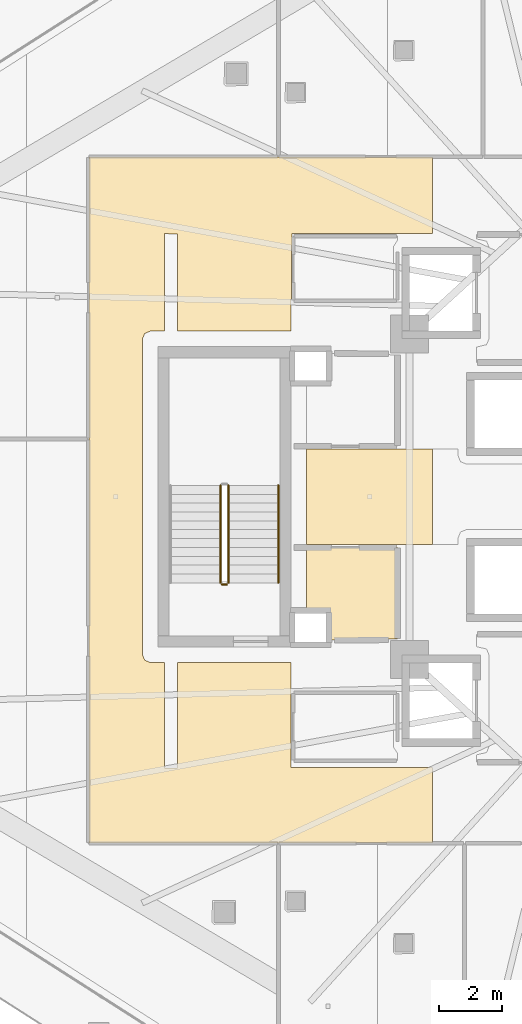
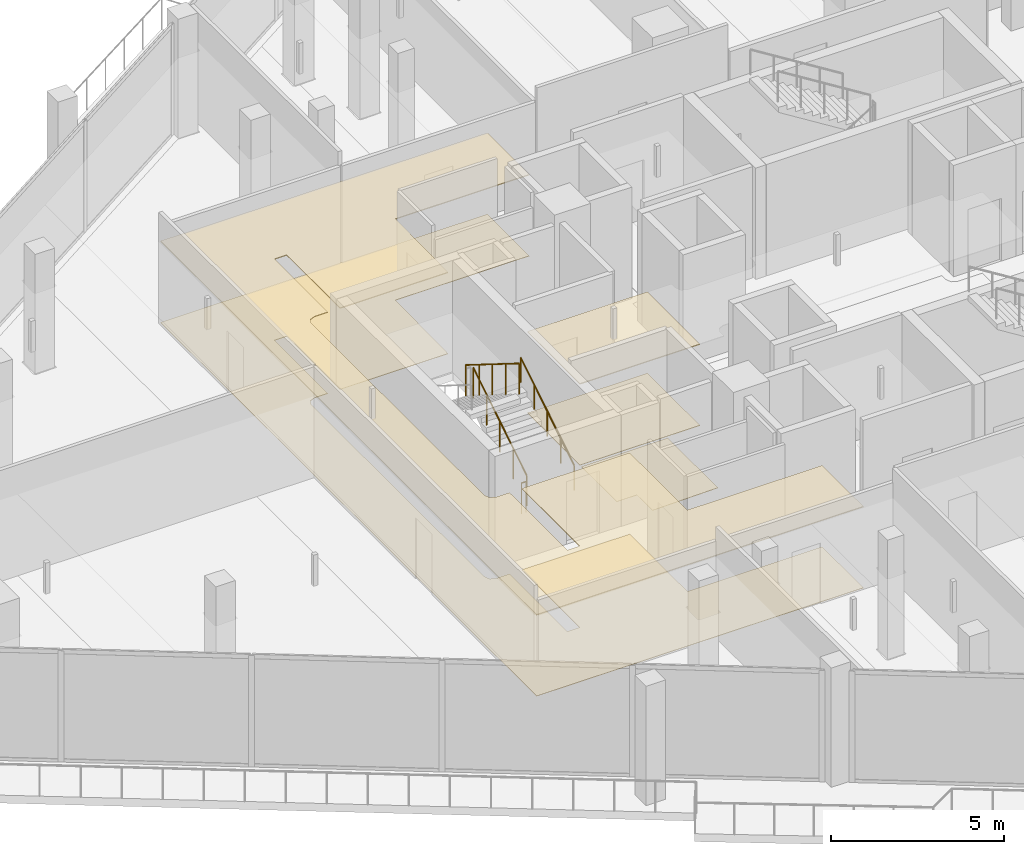
# One storey, part 38 of 45: 5 coverings, 4 railings.
"""IFC4 building model written with IfcOpenShell, lengths in metres."""

import ifcopenshell
import ifcopenshell.guid

model = None  # the IFC model being written
_history = None  # IfcOwnerHistory: only IFC2X3 demands one
_inside = {}  # id of a spatial element -> (the spatial element, [elements in it])
_under = {}  # id of a project, library or spatial element -> (it, [spatial elements below it])
_declared = {}  # id of a project -> (the project, [libraries it declares])
_typed = {}  # id of a type object -> (the type object, [elements of that type])
_made_of = {}  # id of a material, layer set ... -> (it, [elements and type objects made of it])


def new_model(schema):
    """Start an empty IFC model of exactly this schema.

    Asked for "IFC4X3", IfcOpenShell would pick the latest addendum, in which some entities
    have other attributes; the version numbers below select the first issue.
    IFC2X3 requires an IfcOwnerHistory on every rooted entity: one is made here for all.
    """
    global model, _history
    if schema == "IFC4X3":
        model = ifcopenshell.file(schema_version=(4, 3, 0, 0))
    else:
        model = ifcopenshell.file(schema=schema)
    _inside.clear()
    _under.clear()
    _declared.clear()
    _typed.clear()
    _made_of.clear()
    _history = None
    if model.schema == "IFC2X3":
        org = make("IfcOrganization", Name="unknown")
        user = make(
            "IfcPersonAndOrganization",
            ThePerson=make("IfcPerson", FamilyName="unknown"),
            TheOrganization=org,
        )
        app = make(
            "IfcApplication",
            ApplicationDeveloper=org,
            Version="unknown",
            ApplicationFullName="unknown",
            ApplicationIdentifier="unknown",
        )
        _history = make(
            "IfcOwnerHistory",
            OwningUser=user,
            OwningApplication=app,
            ChangeAction="ADDED",
            CreationDate=0,
        )
    return model


def make(cls, **values):
    """One entity of the class cls with the attributes given. An attribute that is None is left unset."""
    return model.create_entity(
        cls, **{name: value for name, value in values.items() if value is not None}
    )


def rooted(cls, **values):
    """An entity with a GlobalId (a new one), such as an element, a storey or a relation."""
    return make(cls, GlobalId=ifcopenshell.guid.new(), OwnerHistory=_history, **values)


def si_unit(unit_type, name, prefix=None):
    """IfcSIUnit, for example si_unit("LENGTHUNIT", "METRE", prefix="MILLI")."""
    return make("IfcSIUnit", UnitType=unit_type, Prefix=prefix, Name=name)


def assignment(units):
    """IfcUnitAssignment: the units of a project."""
    return None if units is None else make("IfcUnitAssignment", Units=units)


def point(xyz):
    """IfcCartesianPoint."""
    return None if xyz is None else make("IfcCartesianPoint", Coordinates=xyz)


def direction(xyz):
    """IfcDirection."""
    return None if xyz is None else make("IfcDirection", DirectionRatios=xyz)


def frame(location, z_axis=None, x_axis=None):
    """IfcAxis2Placement3D, a coordinate frame: its origin and axes. An axis left out is left unset."""
    return make(
        "IfcAxis2Placement3D",
        Location=point(location),
        Axis=direction(z_axis),
        RefDirection=direction(x_axis),
    )


def frame_2d(location, x_axis=None):
    """IfcAxis2Placement2D, a coordinate frame in the plane: its origin and x axis."""
    return make(
        "IfcAxis2Placement2D", Location=point(location), RefDirection=direction(x_axis)
    )


def origin():
    """The frame at (0, 0, 0) with its axes left unset."""
    return frame((0.0, 0.0, 0.0))


def origin_2d():
    """The frame at (0, 0) in the plane with its x axis left unset."""
    return frame_2d((0.0, 0.0))


def place(relative_to, where):
    """IfcLocalPlacement: puts the frame where relative to a parent placement (None: the world)."""
    return make(
        "IfcLocalPlacement", PlacementRelTo=relative_to, RelativePlacement=where
    )


def context(
    kind, dimensions, precision=None, world=None, true_north=None, identifier=None
):
    """IfcGeometricRepresentationContext, for example the 3D "Model" context."""
    return make(
        "IfcGeometricRepresentationContext",
        ContextIdentifier=identifier,
        ContextType=kind,
        CoordinateSpaceDimension=dimensions,
        Precision=precision,
        WorldCoordinateSystem=world,
        TrueNorth=true_north,
    )


def subcontext(parent, identifier, kind, view, scale=None):
    """IfcGeometricRepresentationSubContext, for example "Body" below "Model"."""
    return make(
        "IfcGeometricRepresentationSubContext",
        ContextIdentifier=identifier,
        ContextType=kind,
        ParentContext=parent,
        TargetScale=scale,
        TargetView=view,
    )


def project(units=None, contexts=None):
    """IfcProject with its units and contexts."""
    return rooted(
        "IfcProject",
        Name="project",
        RepresentationContexts=contexts,
        UnitsInContext=assignment(units),
    )


def spatial(cls, under=None, at=None, **own):
    """A site, building, storey or space (cls), placed at a placement, below another one or the project."""
    s = rooted(cls, ObjectPlacement=at, **own)
    if under is not None:
        _under.setdefault(under.id(), (under, []))[1].append(s)
    return s


def polyline(points):
    """IfcPolyline through the points."""
    return make("IfcPolyline", Points=[point(p) for p in points])


def profile(cls, at=None, kind="AREA", **sizes):
    """A parametric profile (cls). Its sizes go by their IFC names, for example OverallWidth=200.0."""
    return make(cls, ProfileType=kind, Position=at, **sizes)


def circle(**sizes):
    """IfcCircleProfileDef."""
    return profile("IfcCircleProfileDef", **sizes)


def outline(outer, holes=None, kind="AREA"):
    """IfcArbitraryClosedProfileDef: a profile drawn as a closed curve; with holes, ...WithVoids."""
    if holes is None:
        return make("IfcArbitraryClosedProfileDef", ProfileType=kind, OuterCurve=outer)
    return make(
        "IfcArbitraryProfileDefWithVoids",
        ProfileType=kind,
        OuterCurve=outer,
        InnerCurves=holes,
    )


def extrude(swept, where, along, depth):
    """IfcExtrudedAreaSolid: the profile swept, set in the frame where, extruded along a direction by depth."""
    return make(
        "IfcExtrudedAreaSolid",
        SweptArea=swept,
        Position=where,
        ExtrudedDirection=direction(along),
        Depth=depth,
    )


def shape(context_of_items, identifier, shape_type, items):
    """IfcShapeRepresentation: the items that make up one representation, for example the "Body"."""
    return make(
        "IfcShapeRepresentation",
        ContextOfItems=context_of_items,
        RepresentationIdentifier=identifier,
        RepresentationType=shape_type,
        Items=items,
    )


def material(Name=None, Category=None):
    """IfcMaterial."""
    return make("IfcMaterial", Name=Name, Category=Category)


def layer(
    of_material, thickness, ventilated=None, Name=None, Category=None, Priority=None
):
    """IfcMaterialLayer: one layer of a wall or slab, of a material (None: an air gap)."""
    return make(
        "IfcMaterialLayer",
        Material=of_material,
        LayerThickness=thickness,
        IsVentilated=ventilated,
        Name=Name,
        Category=Category,
        Priority=Priority,
    )


def layer_set(layers, Name=None):
    """IfcMaterialLayerSet."""
    return make("IfcMaterialLayerSet", MaterialLayers=layers, LayerSetName=Name)


def made_of(thing, what):
    """Note that an element or type object is made of a material, layer set ...; save() writes the relation."""
    if what is not None:
        _made_of.setdefault(what.id(), (what, []))[1].append(thing)
    return thing


def type_object(cls, material=None, **own):
    """A type object (cls), such as IfcWallType, which elements share."""
    return made_of(rooted(cls, **own), material)


def element(
    cls,
    number,
    at=None,
    inside=None,
    cuts=None,
    type_object=None,
    material=None,
    context=None,
    identifier="Body",
    shape_type=None,
    held_by="IfcProductDefinitionShape",
    body=None,
    shapes=None,
    **own,
):
    """One element of the class cls, such as IfcWall. Its Tag is "e" and its number.

    at: its placement. inside: the storey or other place that contains it. cuts: it is an
    opening in that element (IfcRelVoidsElement). A single representation is given by context,
    identifier, shape_type and body (its items); several are given by shapes. held_by: the class
    of the entity that holds the representations. save() writes the other relations.
    """
    e = rooted(cls, Tag="e%d" % number, ObjectPlacement=at, **own)
    if body is not None:
        shapes = [shape(context, identifier, shape_type, body)]
    if shapes is not None:
        e.Representation = make(held_by, Representations=shapes)
    if inside is not None:
        _inside.setdefault(inside.id(), (inside, []))[1].append(e)
    if cuts is not None:
        rooted(
            "IfcRelVoidsElement", RelatingBuildingElement=cuts, RelatedOpeningElement=e
        )
    if type_object is not None:
        _typed.setdefault(type_object.id(), (type_object, []))[1].append(e)
    return made_of(e, material)


def aggregate(whole, parts):
    """IfcRelAggregates: a whole, such as a stair, and the parts it consists of."""
    return rooted("IfcRelAggregates", RelatingObject=whole, RelatedObjects=parts)


def save(model, path):
    """Write the relations noted so far, then the file.

    IfcRelAggregates (storeys below a building ...), IfcRelContainedInSpatialStructure (elements
    in a storey), IfcRelDefinesByType, IfcRelAssociatesMaterial and IfcRelDeclares: one each for
    every whole, place, type object, material and project.
    """
    for whole, parts in _under.values():
        aggregate(whole, parts)
    for where, things in _inside.values():
        rooted(
            "IfcRelContainedInSpatialStructure",
            RelatedElements=things,
            RelatingStructure=where,
        )
    for kind, things in _typed.values():
        rooted("IfcRelDefinesByType", RelatedObjects=things, RelatingType=kind)
    for what, things in _made_of.values():
        rooted("IfcRelAssociatesMaterial", RelatedObjects=things, RelatingMaterial=what)
    for by, libraries in _declared.values():
        rooted("IfcRelDeclares", RelatingContext=by, RelatedDefinitions=libraries)
    model.write(path)


model = new_model("IFC4")

# Units and contexts
model_context = context("Model", 3, precision=1e-05, world=origin(), true_north=direction((0.0, 1.0)))
body_context = subcontext(model_context, "Body", "Model", "MODEL_VIEW")
ifc_project = project(units=[si_unit("LENGTHUNIT", "METRE"), si_unit("AREAUNIT", "SQUARE_METRE"), si_unit("VOLUMEUNIT", "CUBIC_METRE"), si_unit("PLANEANGLEUNIT", "RADIAN"), si_unit("MASSUNIT", "GRAM", prefix="KILO")], contexts=[model_context])

# Site, building, storey
site_placement = place(None, origin())
site = spatial("IfcSite", under=ifc_project, at=site_placement, CompositionType="ELEMENT")
building_placement = place(site_placement, origin())
building = spatial("IfcBuilding", under=site, at=building_placement, Name="Qorvath Tower", CompositionType="ELEMENT")
storey_placement = place(building_placement, frame((0.0, 0.0, 91.199951171875)))
storey = spatial("IfcBuildingStorey", under=building, at=storey_placement, Name="L20", CompositionType="ELEMENT", Elevation=91.199951171875)

# Coverings
ifc_material_1 = material(Name="Acoustic mineral fibre ceiling tile", Category="gypsum")
ifc_layer_1 = layer(ifc_material_1, 0.030029296875)
ifc_layer_set_1 = layer_set([ifc_layer_1], Name="COV-CEIL")
covering_type_1 = type_object("IfcCoveringType", Name="COV-CEIL", PredefinedType="CEILING", material=ifc_layer_set_1)
covering_1_placement = place(storey_placement, frame((0.0, 0.0, 2.85009765625)))
element("IfcCovering", 1, at=covering_1_placement, inside=storey, type_object=covering_type_1, Name="L20 Suspended Acoustic Ceiling 007", PredefinedType="CEILING", context=body_context, shape_type="SweptSolid", body=[
    extrude(outline(polyline([(-29.764892578125, -10.945068359375), (-29.764892578125, -8.564453125), (-34.25, -8.56494140625), (-34.2548828125, -5.239990234375), (-37.844970703125, -5.239990234375), (-37.844970703125, -8.580078125), (-38.2548828125, -8.580078125), (-38.2548828125, -5.239990234375), (-38.699951171875, -5.239990234375), (-38.876708984375, -5.166748046875), (-38.949951171875, -4.989990234375), (-38.949951171875, 4.989990234375), (-38.876708984375, 5.166748046875), (-38.699951171875, 5.239990234375), (-38.2548828125, 5.239990234375), (-38.25341796875, 8.323486328125), (-37.844970703125, 8.320068359375), (-37.844970703125, 5.239990234375), (-34.2509765625, 5.239990234375), (-34.219970703125, 8.324951171875), (-29.764892578125, 8.324951171875), (-29.764892578125, 10.74560546875), (-40.64501953125, 10.7451171875), (-40.64501953125, -10.945068359375), (-29.764892578125, -10.945068359375)])), origin(), (0.0, 0.0, 1.0), 0.030029296875),
])
covering_2_placement = place(storey_placement, frame((0.0, 0.0, 2.85009765625)))
element("IfcCovering", 2, at=covering_2_placement, inside=storey, type_object=covering_type_1, Name="L20 Suspended Acoustic Ceiling 008", PredefinedType="CEILING", context=body_context, shape_type="SweptSolid", body=[
    extrude(outline(polyline([(-29.764892578125, -1.514892578125), (-29.764892578125, 1.514892578125), (-33.760009765625, 1.514892578125), (-33.760009765625, -1.514892578125), (-29.764892578125, -1.514892578125)])), origin(), (0.0, 0.0, 1.0), 0.030029296875),
])
ifc_material_2 = material(Name="Low-VOC modular carpet tile", Category="textile")
ifc_layer_2 = layer(ifc_material_2, 0.014892578125)
ifc_layer_set_2 = layer_set([ifc_layer_2], Name="COV-FLOOR-CPT")
covering_type_2 = type_object("IfcCoveringType", Name="COV-FLOOR-CPT", PredefinedType="FLOORING", material=ifc_layer_set_2)
covering_3_placement = place(storey_placement, origin())
element("IfcCovering", 3, at=covering_3_placement, inside=storey, type_object=covering_type_2, Name="L20 Floor Finish 006", PredefinedType="FLOORING", context=body_context, shape_type="SweptSolid", body=[
    extrude(outline(polyline([(-30.885009765625, -1.60498046875), (-33.760009765625, -1.60498046875), (-33.760009765625, -3.636962890625), (-33.08837890625, -3.638427734375), (-33.0869140625, -4.534912109375), (-30.885009765625, -4.489990234375), (-30.885009765625, -1.60498046875)])), origin(), (0.0, 0.0, 1.0), 0.01513671875),
])
ifc_material_3 = material(Name="Polished epoxy terrazzo flooring", Category="concrete")
ifc_layer_3 = layer(ifc_material_3, 0.02001953125)
ifc_layer_set_3 = layer_set([ifc_layer_3], Name="COV-FLOOR-TRZ")
covering_type_3 = type_object("IfcCoveringType", Name="COV-FLOOR-TRZ", PredefinedType="FLOORING", material=ifc_layer_set_3)
covering_4_placement = place(storey_placement, origin())
element("IfcCovering", 4, at=covering_4_placement, inside=storey, type_object=covering_type_3, Name="L20 Floor Finish 007", PredefinedType="FLOORING", context=body_context, shape_type="SweptSolid", body=[
    extrude(outline(polyline([(-29.764892578125, -10.945068359375), (-29.764892578125, -8.564453125), (-34.25, -8.56494140625), (-34.2548828125, -5.239990234375), (-37.844970703125, -5.239990234375), (-37.844970703125, -8.580078125), (-38.2548828125, -8.580078125), (-38.2548828125, -5.239990234375), (-38.699951171875, -5.239990234375), (-38.876708984375, -5.166748046875), (-38.949951171875, -4.989990234375), (-38.949951171875, 4.989990234375), (-38.876708984375, 5.166748046875), (-38.699951171875, 5.239990234375), (-38.2548828125, 5.239990234375), (-38.25341796875, 8.323486328125), (-37.844970703125, 8.320068359375), (-37.844970703125, 5.239990234375), (-34.2509765625, 5.239990234375), (-34.219970703125, 8.324951171875), (-29.764892578125, 8.324951171875), (-29.764892578125, 10.74560546875), (-40.64501953125, 10.7451171875), (-40.64501953125, -10.945068359375), (-29.764892578125, -10.945068359375)])), origin(), (0.0, 0.0, 1.0), 0.01513671875),
])
covering_5_placement = place(storey_placement, origin())
element("IfcCovering", 5, at=covering_5_placement, inside=storey, type_object=covering_type_3, Name="L20 Floor Finish 008", PredefinedType="FLOORING", context=body_context, shape_type="SweptSolid", body=[
    extrude(outline(polyline([(-29.764892578125, -1.514892578125), (-29.764892578125, 1.514892578125), (-33.760009765625, 1.514892578125), (-33.760009765625, -1.514892578125), (-29.764892578125, -1.514892578125)])), origin(), (0.0, 0.0, 1.0), 0.01513671875),
])

# Railings
ifc_material_4 = material(Name="Painted galvanised steel", Category="steel")
railing_type_1 = type_object("IfcRailingType", Name="RL-STR-GRD", PredefinedType="GUARDRAIL", material=ifc_material_4)
railing_1_placement = place(storey_placement, frame((-36.22998046875, -2.719970703125, 0.175048828125)))
element("IfcRailing", 6, at=railing_1_placement, inside=storey, type_object=railing_type_1, Name="L20 TS3 stair guard 1", PredefinedType="GUARDRAIL", context=body_context, shape_type="SweptSolid", body=[
    extrude(circle(Radius=0.02392578125, at=origin_2d()), frame((0.0, 0.0, 1.076171875), z_axis=(0.0, 0.847998304005, 0.529998940003), x_axis=(-1.0, 0.0, 0.0)), (0.0, 0.0, 1.0), 3.632080078125),
    extrude(circle(Radius=0.02099609375, at=origin_2d()), origin(), (0.0, 0.0, 1.0), 1.052001953125),
    extrude(circle(Radius=0.02099609375, at=origin_2d()), frame((0.0, 0.77001953125, 0.481201171875)), (0.0, 0.0, 1.0), 1.052001953125),
    extrude(circle(Radius=0.02099609375, at=origin_2d()), frame((0.0, 1.5400390625, 0.96240234375)), (0.0, 0.0, 1.0), 1.052001953125),
    extrude(circle(Radius=0.02099609375, at=origin_2d()), frame((0.0, 2.31005859375, 1.44384765625)), (0.0, 0.0, 1.0), 1.052001953125),
    extrude(circle(Radius=0.02099609375, at=origin_2d()), frame((0.0, 3.080078125, 1.925048828125)), (0.0, 0.0, 1.0), 1.052001953125),
])
railing_2_placement = place(storey_placement, frame((-36.47998046875, 0.360107421875, 2.275146484375)))
element("IfcRailing", 7, at=railing_2_placement, inside=storey, type_object=railing_type_1, Name="L20 TS3 stair guard 3", PredefinedType="GUARDRAIL", context=body_context, shape_type="SweptSolid", body=[
    extrude(circle(Radius=0.02392578125, at=origin_2d()), frame((0.0, 0.0, 1.076171875), z_axis=(0.0, -0.848028513186, 0.529950602248), x_axis=(1.0, 0.0, 0.0)), (0.0, 0.0, 1.0), 3.632080078125),
    extrude(circle(Radius=0.02099609375, at=origin_2d()), origin(), (0.0, 0.0, 1.0), 1.052001953125),
    extrude(circle(Radius=0.02099609375, at=origin_2d()), frame((0.0, -0.77001953125, 0.481201171875)), (0.0, 0.0, 1.0), 1.052001953125),
    extrude(circle(Radius=0.02099609375, at=origin_2d()), frame((0.0, -1.5400390625, 0.96240234375)), (0.0, 0.0, 1.0), 1.052001953125),
    extrude(circle(Radius=0.02099609375, at=origin_2d()), frame((0.0, -2.31005859375, 1.443603515625)), (0.0, 0.0, 1.0), 1.052001953125),
    extrude(circle(Radius=0.02099609375, at=origin_2d()), frame((0.0, -3.080078125, 1.9248046875)), (0.0, 0.0, 1.0), 1.052001953125),
])
railing_3_placement = place(storey_placement, frame((-36.280029296875, -2.77001953125, 0.0)))
element("IfcRailing", 8, at=railing_3_placement, inside=storey, type_object=railing_type_1, Name="L20 TS3 stair guard 4", PredefinedType="GUARDRAIL", context=body_context, shape_type="SweptSolid", body=[
    extrude(circle(Radius=0.02392578125, at=origin_2d()), frame((0.0, 0.0, 1.076171875), z_axis=(-1.0, 0.0, 0.0), x_axis=(0.0, -1.0, 0.0)), (0.0, 0.0, 1.0), 0.14990234375),
    extrude(circle(Radius=0.02099609375, at=origin_2d()), origin(), (0.0, 0.0, 1.0), 1.052001953125),
    extrude(circle(Radius=0.02099609375, at=origin_2d()), frame((-0.14990234375, 0.0, 0.0)), (0.0, 0.0, 1.0), 1.052001953125),
])
ifc_material_5 = material(Name="Brushed stainless steel AISI 304", Category="steel")
railing_type_2 = type_object("IfcRailingType", Name="RL-STR-HND", PredefinedType="HANDRAIL", material=ifc_material_5)
railing_4_placement = place(storey_placement, frame((-34.64990234375, -2.719970703125, 0.175048828125)))
element("IfcRailing", 9, at=railing_4_placement, inside=storey, type_object=railing_type_2, Name="L20 TS3 stair handrail 1", PredefinedType="HANDRAIL", context=body_context, shape_type="SweptSolid", body=[
    extrude(circle(Radius=0.02392578125, at=origin_2d()), frame((0.0, 0.0, 0.8759765625), z_axis=(0.0, 0.847998304005, 0.529998940003), x_axis=(-1.0, 0.0, 0.0)), (0.0, 0.0, 1.0), 3.632080078125),
    extrude(circle(Radius=0.02099609375, at=origin_2d()), origin(), (0.0, 0.0, 1.0), 0.851806640625),
    extrude(circle(Radius=0.02099609375, at=origin_2d()), frame((0.0, 0.77001953125, 0.481201171875)), (0.0, 0.0, 1.0), 0.851806640625),
    extrude(circle(Radius=0.02099609375, at=origin_2d()), frame((0.0, 1.5400390625, 0.96240234375)), (0.0, 0.0, 1.0), 0.851806640625),
    extrude(circle(Radius=0.02099609375, at=origin_2d()), frame((0.0, 2.31005859375, 1.44384765625)), (0.0, 0.0, 1.0), 0.851806640625),
    extrude(circle(Radius=0.02099609375, at=origin_2d()), frame((0.0, 3.080078125, 1.925048828125)), (0.0, 0.0, 1.0), 0.851806640625),
])

save(model, "model.ifc")
